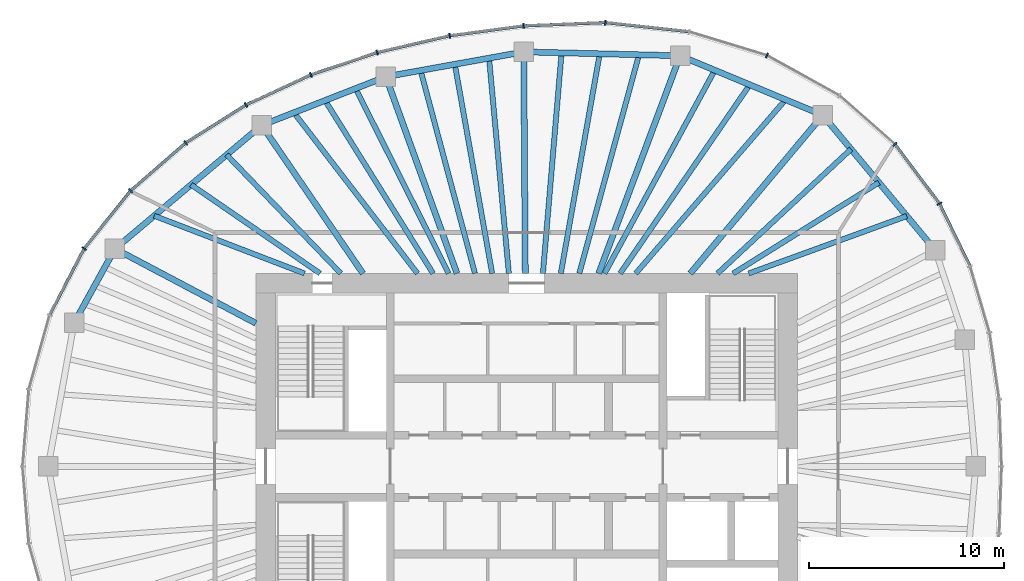
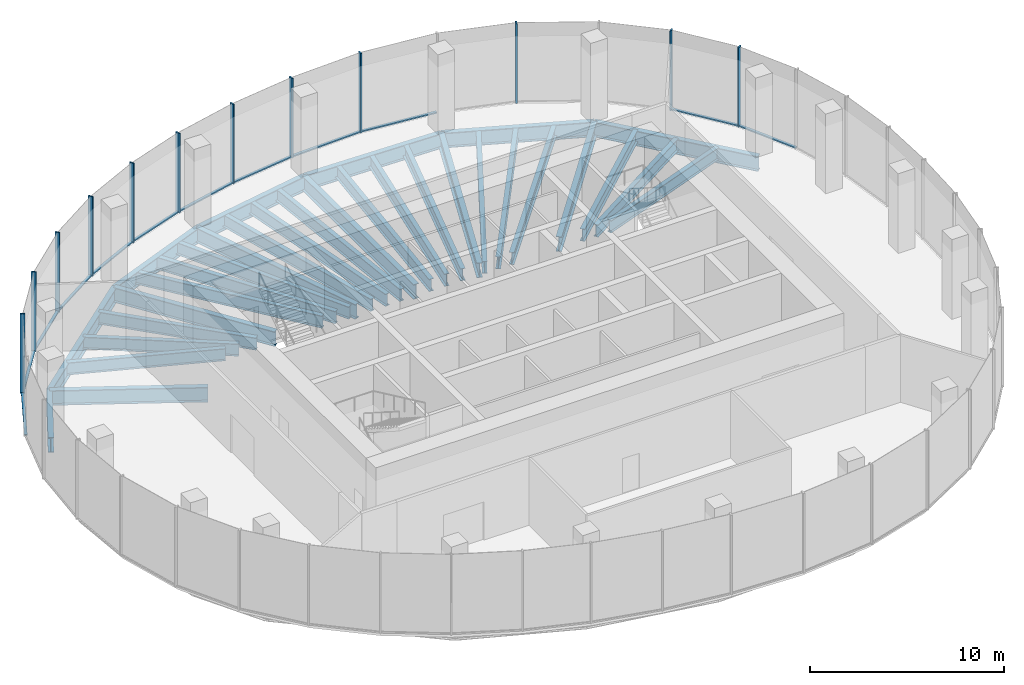
# One storey, part 5 of 11: 31 beams, 24 members, 8 elements without a shape of their own.
"""IFC4 building model written with IfcOpenShell, lengths in metres."""

from ifc_helpers import new_model, si_unit, direction, frame, origin, origin_2d, place, context, subcontext, project, spatial, rectangle, i_section, extrude, material, material_profile, profile_set, type_object, element, aggregate, save


model = new_model("IFC4")

# Units and contexts
model_context = context("Model", 3, precision=1e-05, world=origin(), true_north=direction((0.0, 1.0)))
body_context = subcontext(model_context, "Body", "Model", "MODEL_VIEW")
ifc_project = project(units=[si_unit("LENGTHUNIT", "METRE"), si_unit("AREAUNIT", "SQUARE_METRE"), si_unit("VOLUMEUNIT", "CUBIC_METRE"), si_unit("PLANEANGLEUNIT", "RADIAN"), si_unit("MASSUNIT", "GRAM", prefix="KILO")], contexts=[model_context])

# Site, building, storey
site_placement = place(None, origin())
site = spatial("IfcSite", under=ifc_project, at=site_placement, CompositionType="ELEMENT")
building_placement = place(site_placement, origin())
building = spatial("IfcBuilding", under=site, at=building_placement, Name="Ghaith Harvest Tower", CompositionType="ELEMENT")
storey_placement = place(building_placement, frame((0.0, 0.0, 344.199951171875)))
storey = spatial("IfcBuildingStorey", under=building, at=storey_placement, Name="L77", CompositionType="ELEMENT", Elevation=344.199951171875)

# Curtain wall, members
ifc_material_1 = material(Name="Black anodised aluminium and fritted glass", Category="aluminium")
curtain_wall_type = type_object("IfcCurtainWallType", Name="CW-C CURTAIN WALL", PredefinedType="NOTDEFINED", material=ifc_material_1)
curtain_wall_1_placement = place(storey_placement, origin())
curtain_wall_1 = element("IfcCurtainWall", 1, at=curtain_wall_1_placement, inside=storey, type_object=curtain_wall_type, Name="Curtain wall CW-C bay 03 L77", PredefinedType="NOTDEFINED")
ifc_material_2 = material(Name="Aluminium, black anodised", Category="aluminium")
ifc_material_profile_1 = material_profile(ifc_material_2, rectangle(XDim=0.080078125, YDim=0.260009765625, at=origin_2d()), Name="CW-C MULLION 80x260")
ifc_profile_set_1 = profile_set([ifc_material_profile_1], Name="Aluminium, black anodised")
member_type_1 = type_object("IfcMemberType", Name="CW-C MULLION 80x260", PredefinedType="MULLION", material=ifc_profile_set_1)
member_1_placement = place(storey_placement, frame((21.18896484375, 13.48486328125, 0.0), z_axis=(0.0, 0.0, 1.0), x_axis=(-0.524482238522, 0.851421388899, 0.0)))
member_1 = element("IfcMember", 2, at=member_1_placement, type_object=member_type_1, Name="CW-C mullion 1 bay 03 L77", PredefinedType="MULLION", context=body_context, shape_type="SweptSolid", body=[
    extrude(rectangle(XDim=0.080078125, YDim=0.260009765625, at=origin_2d()), origin(), (0.0, 0.0, 1.0), 5.0),
])
member_2_placement = place(storey_placement, frame((18.901123046875, 16.527099609375, 0.0), z_axis=(0.0, 0.0, 1.0), x_axis=(-0.679660897075, 0.733526458274, 0.0)))
member_2 = element("IfcMember", 3, at=member_2_placement, type_object=member_type_1, Name="CW-C mullion 2 bay 03 L77", PredefinedType="MULLION", context=body_context, shape_type="SweptSolid", body=[
    extrude(rectangle(XDim=0.080078125, YDim=0.260009765625, at=origin_2d()), origin(), (0.0, 0.0, 1.0), 5.0),
])

# Curtain wall, member
curtain_wall_2_placement = place(storey_placement, origin())
curtain_wall_2 = element("IfcCurtainWall", 4, at=curtain_wall_2_placement, inside=storey, type_object=curtain_wall_type, Name="Curtain wall CW-C bay 04 L77", PredefinedType="NOTDEFINED")
member_3_placement = place(storey_placement, frame((12.334228515625, 21.091796875, 0.0), z_axis=(0.0, 0.0, 1.0), x_axis=(-0.920319269246, 0.391168049123, 0.0)))
member_3 = element("IfcMember", 5, at=member_3_placement, type_object=member_type_1, Name="CW-C mullion 2 bay 04 L77", PredefinedType="MULLION", context=body_context, shape_type="SweptSolid", body=[
    extrude(rectangle(XDim=0.080078125, YDim=0.260009765625, at=origin_2d()), origin(), (0.0, 0.0, 1.0), 5.0),
])
aggregate(curtain_wall_2, [member_3])

curtain_wall_3_placement = place(storey_placement, origin())
curtain_wall_3 = element("IfcCurtainWall", 6, at=curtain_wall_3_placement, inside=storey, type_object=curtain_wall_type, Name="Curtain wall CW-C bay 05 L77", PredefinedType="NOTDEFINED")
member_4_placement = place(storey_placement, frame((4.037841796875, 22.776611328125, 0.0), z_axis=(0.0, 0.0, 1.0), x_axis=(-0.999388631236, 0.034962319079, 0.0)))
member_4 = element("IfcMember", 7, at=member_4_placement, type_object=member_type_1, Name="CW-C mullion 2 bay 05 L77", PredefinedType="MULLION", context=body_context, shape_type="SweptSolid", body=[
    extrude(rectangle(XDim=0.080078125, YDim=0.260009765625, at=origin_2d()), origin(), (0.0, 0.0, 1.0), 5.0),
])

# Curtain wall, members
curtain_wall_4_placement = place(storey_placement, origin())
curtain_wall_4 = element("IfcCurtainWall", 8, at=curtain_wall_4_placement, inside=storey, type_object=curtain_wall_type, Name="Curtain wall CW-C bay 06 L77", PredefinedType="NOTDEFINED")
member_5_placement = place(storey_placement, frame((-0.15478515625, 22.60595703125, 0.0), z_axis=(0.0, 0.0, 1.0), x_axis=(-0.996414855482, -0.084601629853, 0.0)))
member_5 = element("IfcMember", 9, at=member_5_placement, type_object=member_type_1, Name="CW-C mullion 1 bay 06 L77", PredefinedType="MULLION", context=body_context, shape_type="SweptSolid", body=[
    extrude(rectangle(XDim=0.080078125, YDim=0.260009765625, at=origin_2d()), origin(), (0.0, 0.0, 1.0), 5.0),
])
member_6_placement = place(storey_placement, frame((-3.946533203125, 22.0986328125, 0.0), z_axis=(0.0, 0.0, 1.0), x_axis=(-0.983843447681, -0.179030920389, 0.0)))
member_6 = element("IfcMember", 10, at=member_6_placement, type_object=member_type_1, Name="CW-C mullion 2 bay 06 L77", PredefinedType="MULLION", context=body_context, shape_type="SweptSolid", body=[
    extrude(rectangle(XDim=0.080078125, YDim=0.260009765625, at=origin_2d()), origin(), (0.0, 0.0, 1.0), 5.0),
])

curtain_wall_5_placement = place(storey_placement, origin())
curtain_wall_5 = element("IfcCurtainWall", 11, at=curtain_wall_5_placement, inside=storey, type_object=curtain_wall_type, Name="Curtain wall CW-C bay 07 L77", PredefinedType="NOTDEFINED")
member_7_placement = place(storey_placement, frame((-7.6708984375, 21.23828125, 0.0), z_axis=(0.0, 0.0, 1.0), x_axis=(-0.962552491436, -0.27109537294, 0.0)))
member_7 = element("IfcMember", 12, at=member_7_placement, type_object=member_type_1, Name="CW-C mullion 1 bay 07 L77", PredefinedType="MULLION", context=body_context, shape_type="SweptSolid", body=[
    extrude(rectangle(XDim=0.080078125, YDim=0.260009765625, at=origin_2d()), origin(), (0.0, 0.0, 1.0), 5.0),
])
member_8_placement = place(storey_placement, frame((-11.0673828125, 20.093017578125, 0.0), z_axis=(0.0, 0.0, 1.0), x_axis=(-0.928624420706, -0.371021138573, 0.0)))
member_8 = element("IfcMember", 13, at=member_8_placement, type_object=member_type_1, Name="CW-C mullion 2 bay 07 L77", PredefinedType="MULLION", context=body_context, shape_type="SweptSolid", body=[
    extrude(rectangle(XDim=0.080078125, YDim=0.260009765625, at=origin_2d()), origin(), (0.0, 0.0, 1.0), 5.0),
])

curtain_wall_6_placement = place(storey_placement, origin())
curtain_wall_6 = element("IfcCurtainWall", 14, at=curtain_wall_6_placement, inside=storey, type_object=curtain_wall_type, Name="Curtain wall CW-C bay 08 L77", PredefinedType="NOTDEFINED")
member_9_placement = place(storey_placement, frame((-14.40478515625, 18.5478515625, 0.0), z_axis=(0.0, 0.0, 1.0), x_axis=(-0.87867173244, -0.477426420101, 0.0)))
member_9 = element("IfcMember", 15, at=member_9_placement, type_object=member_type_1, Name="CW-C mullion 1 bay 08 L77", PredefinedType="MULLION", context=body_context, shape_type="SweptSolid", body=[
    extrude(rectangle(XDim=0.080078125, YDim=0.260009765625, at=origin_2d()), origin(), (0.0, 0.0, 1.0), 5.0),
])
member_10_placement = place(storey_placement, frame((-17.49462890625, 16.600830078125, 0.0), z_axis=(0.0, 0.0, 1.0), x_axis=(-0.802189888678, -0.597068993084, 0.0)))
member_10 = element("IfcMember", 16, at=member_10_placement, type_object=member_type_1, Name="CW-C mullion 2 bay 08 L77", PredefinedType="MULLION", context=body_context, shape_type="SweptSolid", body=[
    extrude(rectangle(XDim=0.080078125, YDim=0.260009765625, at=origin_2d()), origin(), (0.0, 0.0, 1.0), 5.0),
])

curtain_wall_7_placement = place(storey_placement, origin())
curtain_wall_7 = element("IfcCurtainWall", 17, at=curtain_wall_7_placement, inside=storey, type_object=curtain_wall_type, Name="Curtain wall CW-C bay 09 L77", PredefinedType="NOTDEFINED")
member_11_placement = place(storey_placement, frame((-20.324462890625, 14.141845703125, 0.0), z_axis=(0.0, 0.0, 1.0), x_axis=(-0.692826491995, -0.72110432809, 0.0)))
member_11 = element("IfcMember", 18, at=member_11_placement, type_object=member_type_1, Name="CW-C mullion 1 bay 09 L77", PredefinedType="MULLION", context=body_context, shape_type="SweptSolid", body=[
    extrude(rectangle(XDim=0.080078125, YDim=0.260009765625, at=origin_2d()), origin(), (0.0, 0.0, 1.0), 5.0),
])
member_12_placement = place(storey_placement, frame((-22.706298828125, 11.176513671875, 0.0), z_axis=(0.0, 0.0, 1.0), x_axis=(-0.545865412621, -0.837872872997, 0.0)))
member_12 = element("IfcMember", 19, at=member_12_placement, type_object=member_type_1, Name="CW-C mullion 2 bay 09 L77", PredefinedType="MULLION", context=body_context, shape_type="SweptSolid", body=[
    extrude(rectangle(XDim=0.080078125, YDim=0.260009765625, at=origin_2d()), origin(), (0.0, 0.0, 1.0), 5.0),
])

# Curtain wall, member
curtain_wall_8_placement = place(storey_placement, origin())
curtain_wall_8 = element("IfcCurtainWall", 20, at=curtain_wall_8_placement, inside=storey, type_object=curtain_wall_type, Name="Curtain wall CW-C bay 02 L77", PredefinedType="NOTDEFINED")
ifc_material_3 = material(Name="Aluminium, black anodised", Category="aluminium")
ifc_material_profile_2 = material_profile(ifc_material_3, rectangle(XDim=0.159912109375, YDim=0.080078125, at=origin_2d()), Name="CW-C TRANSOM 160x80")
ifc_profile_set_2 = profile_set([ifc_material_profile_2], Name="Aluminium, black anodised")
member_type_2 = type_object("IfcMemberType", Name="CW-C TRANSOM 160x80", PredefinedType="USERDEFINED", material=ifc_profile_set_2)
member_13_placement = place(storey_placement, frame((22.736572265625, 10.308349609375, 0.0400390625), z_axis=(-0.437965078712, 0.898991985408, 0.0), x_axis=(-0.898991985408, -0.437965078712, 0.0)))
member_13 = element("IfcMember", 21, at=member_13_placement, type_object=member_type_2, Name="CW-C transom 2 bay 02 L77", ObjectType="TRANSOM", PredefinedType="USERDEFINED", context=body_context, shape_type="SweptSolid", body=[
    extrude(rectangle(XDim=0.159912109375, YDim=0.080078125, at=origin_2d()), origin(), (0.0, 0.0, 1.0), 3.493408203125),
])
aggregate(curtain_wall_8, [member_13])

# Member
member_14_placement = place(storey_placement, frame((21.1650390625, 13.516845703125, 0.0400390625), z_axis=(-0.601079103045, 0.799189534392, 0.0), x_axis=(-0.799189534392, -0.601079103045, 0.0)))
member_14 = element("IfcMember", 22, at=member_14_placement, type_object=member_type_2, Name="CW-C transom 1 bay 03 L77", ObjectType="TRANSOM", PredefinedType="USERDEFINED", context=body_context, shape_type="SweptSolid", body=[
    extrude(rectangle(XDim=0.159912109375, YDim=0.080078125, at=origin_2d()), origin(), (0.0, 0.0, 1.0), 3.7265625),
])

aggregate(curtain_wall_1, [member_1, member_14, member_2])

member_15_placement = place(storey_placement, frame((8.300048828125, 22.313232421875, 0.0400390625), z_axis=(-0.994144463069, 0.108059180768, 0.0), x_axis=(-0.108059180768, -0.994144463069, 0.0)))
member_15 = element("IfcMember", 23, at=member_15_placement, type_object=member_type_2, Name="CW-C transom 1 bay 05 L77", ObjectType="TRANSOM", PredefinedType="USERDEFINED", context=body_context, shape_type="SweptSolid", body=[
    extrude(rectangle(XDim=0.159912109375, YDim=0.080078125, at=origin_2d()), origin(), (0.0, 0.0, 1.0), 4.24755859375),
])

member_16_placement = place(storey_placement, frame((3.997802734375, 22.77490234375, 0.0400390625), z_axis=(-0.999174207562, -0.040631304968, 0.0), x_axis=(0.040631304968, -0.999174207562, 0.0)))
member_16 = element("IfcMember", 24, at=member_16_placement, type_object=member_type_2, Name="CW-C transom 2 bay 05 L77", ObjectType="TRANSOM", PredefinedType="USERDEFINED", context=body_context, shape_type="SweptSolid", body=[
    extrude(rectangle(XDim=0.159912109375, YDim=0.080078125, at=origin_2d()), origin(), (0.0, 0.0, 1.0), 4.115966796875),
])

aggregate(curtain_wall_3, [member_15, member_4, member_16])

member_17_placement = place(storey_placement, frame((-0.1943359375, 22.6005859375, 0.0400390625), z_axis=(-0.99117202259, -0.132582131655, 0.0), x_axis=(0.132582131655, -0.99117202259, 0.0)))
member_17 = element("IfcMember", 25, at=member_17_placement, type_object=member_type_2, Name="CW-C transom 1 bay 06 L77", ObjectType="TRANSOM", PredefinedType="USERDEFINED", context=body_context, shape_type="SweptSolid", body=[
    extrude(rectangle(XDim=0.159912109375, YDim=0.080078125, at=origin_2d()), origin(), (0.0, 0.0, 1.0), 3.745361328125),
])

member_18_placement = place(storey_placement, frame((-3.9853515625, 22.089599609375, 0.0400390625), z_axis=(-0.974344997799, -0.225059603803, 0.0), x_axis=(0.225059603803, -0.974344997799, 0.0)))
member_18 = element("IfcMember", 26, at=member_18_placement, type_object=member_type_2, Name="CW-C transom 2 bay 06 L77", ObjectType="TRANSOM", PredefinedType="USERDEFINED", context=body_context, shape_type="SweptSolid", body=[
    extrude(rectangle(XDim=0.159912109375, YDim=0.080078125, at=origin_2d()), origin(), (0.0, 0.0, 1.0), 3.742431640625),
])

aggregate(curtain_wall_4, [member_5, member_17, member_6, member_18])

member_19_placement = place(storey_placement, frame((-7.708740234375, 21.2255859375, 0.0400390625), z_axis=(-0.9475698206, -0.319548799228, 0.0), x_axis=(0.319548799228, -0.9475698206, 0.0)))
member_19 = element("IfcMember", 27, at=member_19_placement, type_object=member_type_2, Name="CW-C transom 1 bay 07 L77", ObjectType="TRANSOM", PredefinedType="USERDEFINED", context=body_context, shape_type="SweptSolid", body=[
    extrude(rectangle(XDim=0.159912109375, YDim=0.080078125, at=origin_2d()), origin(), (0.0, 0.0, 1.0), 3.504638671875),
])

member_20_placement = place(storey_placement, frame((-11.103759765625, 20.076171875, 0.0400390625), z_axis=(-0.907472177056, -0.420112184862, 0.0), x_axis=(0.420112184862, -0.907472177056, 0.0)))
member_20 = element("IfcMember", 28, at=member_20_placement, type_object=member_type_2, Name="CW-C transom 2 bay 07 L77", ObjectType="TRANSOM", PredefinedType="USERDEFINED", context=body_context, shape_type="SweptSolid", body=[
    extrude(rectangle(XDim=0.159912109375, YDim=0.080078125, at=origin_2d()), origin(), (0.0, 0.0, 1.0), 3.597900390625),
])

aggregate(curtain_wall_5, [member_7, member_19, member_8, member_20])

member_21_placement = place(storey_placement, frame((-14.438720703125, 18.5263671875, 0.0400390625), z_axis=(-0.846053602505, -0.533097835006, 0.0), x_axis=(0.533097835006, -0.846053602505, 0.0)))
member_21 = element("IfcMember", 29, at=member_21_placement, type_object=member_type_2, Name="CW-C transom 1 bay 08 L77", ObjectType="TRANSOM", PredefinedType="USERDEFINED", context=body_context, shape_type="SweptSolid", body=[
    extrude(rectangle(XDim=0.159912109375, YDim=0.080078125, at=origin_2d()), origin(), (0.0, 0.0, 1.0), 3.572021484375),
])

member_22_placement = place(storey_placement, frame((-17.52490234375, 16.574462890625, 0.0400390625), z_axis=(-0.754851889287, -0.65589528527, 0.0), x_axis=(0.65589528527, -0.754851889287, 0.0)))
member_22 = element("IfcMember", 30, at=member_22_placement, type_object=member_type_2, Name="CW-C transom 2 bay 08 L77", ObjectType="TRANSOM", PredefinedType="USERDEFINED", context=body_context, shape_type="SweptSolid", body=[
    extrude(rectangle(XDim=0.159912109375, YDim=0.080078125, at=origin_2d()), origin(), (0.0, 0.0, 1.0), 3.668701171875),
])

aggregate(curtain_wall_6, [member_9, member_21, member_10, member_22])

member_23_placement = place(storey_placement, frame((-20.349365234375, 14.110595703125, 0.0400390625), z_axis=(-0.626253073761, -0.779619835307, 0.0), x_axis=(0.779619835307, -0.626253073761, 0.0)))
member_23 = element("IfcMember", 31, at=member_23_placement, type_object=member_type_2, Name="CW-C transom 1 bay 09 L77", ObjectType="TRANSOM", PredefinedType="USERDEFINED", context=body_context, shape_type="SweptSolid", body=[
    extrude(rectangle(XDim=0.159912109375, YDim=0.080078125, at=origin_2d()), origin(), (0.0, 0.0, 1.0), 3.723388671875),
])

member_24_placement = place(storey_placement, frame((-22.724609375, 11.14111328125, 0.0400390625), z_axis=(-0.461242681347, -0.887274021317, 0.0), x_axis=(0.887274021317, -0.461242681347, 0.0)))
member_24 = element("IfcMember", 32, at=member_24_placement, type_object=member_type_2, Name="CW-C transom 2 bay 09 L77", ObjectType="TRANSOM", PredefinedType="USERDEFINED", context=body_context, shape_type="SweptSolid", body=[
    extrude(rectangle(XDim=0.159912109375, YDim=0.080078125, at=origin_2d()), origin(), (0.0, 0.0, 1.0), 3.77197265625),
])

aggregate(curtain_wall_7, [member_11, member_23, member_12, member_24])

# Beams
ifc_material_4 = material(Name="Steel ASTM A992 Grade 50", Category="steel")
ifc_material_profile_3 = material_profile(ifc_material_4, i_section(OverallWidth=0.306884765625, OverallDepth=0.94189453125, WebThickness=0.022216796875, FlangeThickness=0.039794921875, at=origin_2d()), Name="W920X345")
ifc_profile_set_3 = profile_set([ifc_material_profile_3], Name="Steel ASTM A992 Grade 50")
beam_type_1 = type_object("IfcBeamType", Name="E920-345 W920X345", PredefinedType="SPANDREL", material=ifc_profile_set_3)
beam_1_placement = place(storey_placement, frame((20.97705078125, 11.087890625, -0.77099609375), z_axis=(-0.640173759088, 0.76823014662, 0.0), x_axis=(-0.76823014662, -0.640173759088, 0.0)))
element("IfcBeam", 33, at=beam_1_placement, inside=storey, type_object=beam_type_1, Name="Edge beam E03 L77", PredefinedType="SPANDREL", context=body_context, shape_type="SweptSolid", body=[
    extrude(i_section(OverallWidth=0.306884765625, OverallDepth=0.94189453125, WebThickness=0.022216796875, FlangeThickness=0.039794921875, at=origin_2d()), origin(), (0.0, 0.0, 1.0), 9.02734375),
])
beam_2_placement = place(storey_placement, frame((15.197998046875, 18.02294921875, -0.77099609375), z_axis=(-0.923119729219, 0.384512633766, 0.0), x_axis=(-0.384512633766, -0.923119729219, 0.0)))
element("IfcBeam", 34, at=beam_2_placement, inside=storey, type_object=beam_type_1, Name="Edge beam E04 L77", PredefinedType="SPANDREL", context=body_context, shape_type="SweptSolid", body=[
    extrude(i_section(OverallWidth=0.306884765625, OverallDepth=0.94189453125, WebThickness=0.022216796875, FlangeThickness=0.039794921875, at=origin_2d()), origin(), (0.0, 0.0, 1.0), 7.9296875),
])
beam_3_placement = place(storey_placement, frame((7.8779296875, 21.072021484375, -0.77099609375), z_axis=(-0.999692679676, 0.024790042413, 0.0), x_axis=(-0.024790042413, -0.999692679676, 0.0)))
element("IfcBeam", 35, at=beam_3_placement, inside=storey, type_object=beam_type_1, Name="Edge beam E05 L77", PredefinedType="SPANDREL", context=body_context, shape_type="SweptSolid", body=[
    extrude(i_section(OverallWidth=0.306884765625, OverallDepth=0.94189453125, WebThickness=0.022216796875, FlangeThickness=0.039794921875, at=origin_2d()), origin(), (0.0, 0.0, 1.0), 8.0263671875),
])
beam_4_placement = place(storey_placement, frame((-0.14599609375, 21.27099609375, -0.77099609375), z_axis=(-0.984177047684, -0.177187863051, 0.0), x_axis=(0.177187863051, -0.984177047684, 0.0)))
element("IfcBeam", 36, at=beam_4_placement, inside=storey, type_object=beam_type_1, Name="Edge beam E06 L77", PredefinedType="SPANDREL", context=body_context, shape_type="SweptSolid", body=[
    extrude(i_section(OverallWidth=0.306884765625, OverallDepth=0.94189453125, WebThickness=0.022216796875, FlangeThickness=0.039794921875, at=origin_2d()), origin(), (0.0, 0.0, 1.0), 7.189697265625),
])
beam_5_placement = place(storey_placement, frame((-7.221923828125, 19.9970703125, -0.77099609375), z_axis=(-0.931322768207, -0.364194867371, 0.0), x_axis=(0.364194867371, -0.931322768207, 0.0)))
element("IfcBeam", 37, at=beam_5_placement, inside=storey, type_object=beam_type_1, Name="Edge beam E07 L77", PredefinedType="SPANDREL", context=body_context, shape_type="SweptSolid", body=[
    extrude(i_section(OverallWidth=0.306884765625, OverallDepth=0.94189453125, WebThickness=0.022216796875, FlangeThickness=0.039794921875, at=origin_2d()), origin(), (0.0, 0.0, 1.0), 6.843017578125),
])
beam_6_placement = place(storey_placement, frame((-13.594970703125, 17.5048828125, -0.77099609375), z_axis=(-0.765021818761, -0.64400436087, 0.0), x_axis=(0.64400436087, -0.765021818761, 0.0)))
element("IfcBeam", 38, at=beam_6_placement, inside=storey, type_object=beam_type_1, Name="Edge beam E08 L77", PredefinedType="SPANDREL", context=body_context, shape_type="SweptSolid", body=[
    extrude(i_section(OverallWidth=0.306884765625, OverallDepth=0.94189453125, WebThickness=0.022216796875, FlangeThickness=0.039794921875, at=origin_2d()), origin(), (0.0, 0.0, 1.0), 9.8427734375),
])
beam_7_placement = place(storey_placement, frame((-21.125, 11.166015625, -0.77099609375), z_axis=(-0.482955575345, -0.875644855089, 0.0), x_axis=(0.875644855089, -0.482955575345, 0.0)))
element("IfcBeam", 39, at=beam_7_placement, inside=storey, type_object=beam_type_1, Name="Edge beam E09 L77", PredefinedType="SPANDREL", context=body_context, shape_type="SweptSolid", body=[
    extrude(i_section(OverallWidth=0.306884765625, OverallDepth=0.94189453125, WebThickness=0.022216796875, FlangeThickness=0.039794921875, at=origin_2d()), origin(), (0.0, 0.0, 1.0), 4.346435546875),
])
ifc_material_5 = material(Name="Steel ASTM A992 Grade 50", Category="steel")
ifc_material_profile_4 = material_profile(ifc_material_5, i_section(OverallWidth=0.31005859375, OverallDepth=0.927001953125, WebThickness=0.019287109375, FlangeThickness=0.031982421875, at=origin_2d()), Name="W920X289")
ifc_profile_set_4 = profile_set([ifc_material_profile_4], Name="Steel ASTM A992 Grade 50")
beam_type_2 = type_object("IfcBeamType", Name="G920-289 W920X289", PredefinedType="BEAM", material=ifc_profile_set_4)
beam_8_placement = place(storey_placement, frame((8.39990234375, 9.89990234375, -0.763427734375), z_axis=(0.641792628883, 0.766878231215, 0.0), x_axis=(-0.766878231215, 0.641792628883, 0.0)))
element("IfcBeam", 40, at=beam_8_placement, inside=storey, type_object=beam_type_2, Name="Radial girder G04 L77", PredefinedType="BEAM", context=body_context, shape_type="SweptSolid", body=[
    extrude(i_section(OverallWidth=0.31005859375, OverallDepth=0.927001953125, WebThickness=0.019287109375, FlangeThickness=0.031982421875, at=origin_2d()), origin(), (0.0, 0.0, 1.0), 10.59228515625),
])
beam_9_placement = place(storey_placement, frame((3.700927734375, 9.89990234375, -0.763427734375), z_axis=(0.350201332531, 0.936674450753, 0.0), x_axis=(-0.936674450753, 0.350201332531, 0.0)))
element("IfcBeam", 41, at=beam_9_placement, inside=storey, type_object=beam_type_2, Name="Radial girder G05 L77", PredefinedType="BEAM", context=body_context, shape_type="SweptSolid", body=[
    extrude(i_section(OverallWidth=0.31005859375, OverallDepth=0.927001953125, WebThickness=0.019287109375, FlangeThickness=0.031982421875, at=origin_2d()), origin(), (0.0, 0.0, 1.0), 11.927490234375),
])
beam_10_placement = place(storey_placement, frame((-0.06787109375, 9.89990234375, -0.763427734375), z_axis=(-0.00687032909, 0.999976399011, 0.0), x_axis=(-0.999976399011, -0.00687032909, 0.0)))
element("IfcBeam", 42, at=beam_10_placement, inside=storey, type_object=beam_type_2, Name="Radial girder G06 L77", PredefinedType="BEAM", context=body_context, shape_type="SweptSolid", body=[
    extrude(i_section(OverallWidth=0.31005859375, OverallDepth=0.927001953125, WebThickness=0.019287109375, FlangeThickness=0.031982421875, at=origin_2d()), origin(), (0.0, 0.0, 1.0), 11.371337890625),
])
beam_11_placement = place(storey_placement, frame((-3.57568359375, 9.89990234375, -0.763427734375), z_axis=(-0.339647816823, 0.940552688863, 0.0), x_axis=(-0.940552688863, -0.339647816823, 0.0)))
element("IfcBeam", 43, at=beam_11_placement, inside=storey, type_object=beam_type_2, Name="Radial girder G07 L77", PredefinedType="BEAM", context=body_context, shape_type="SweptSolid", body=[
    extrude(i_section(OverallWidth=0.31005859375, OverallDepth=0.927001953125, WebThickness=0.019287109375, FlangeThickness=0.031982421875, at=origin_2d()), origin(), (0.0, 0.0, 1.0), 10.7353515625),
])
beam_12_placement = place(storey_placement, frame((-8.39990234375, 9.89990234375, -0.763427734375), z_axis=(-0.564067018201, 0.825729010619, 0.0), x_axis=(-0.825729010619, -0.564067018201, 0.0)))
element("IfcBeam", 44, at=beam_12_placement, inside=storey, type_object=beam_type_2, Name="Radial girder G08 L77", PredefinedType="BEAM", context=body_context, shape_type="SweptSolid", body=[
    extrude(i_section(OverallWidth=0.31005859375, OverallDepth=0.927001953125, WebThickness=0.019287109375, FlangeThickness=0.031982421875, at=origin_2d()), origin(), (0.0, 0.0, 1.0), 9.2099609375),
])
beam_13_placement = place(storey_placement, frame((-13.89990234375, 7.34716796875, -0.763427734375), z_axis=(-0.88410164037, 0.467294649546, 0.0), x_axis=(-0.467294649546, -0.88410164037, 0.0)))
element("IfcBeam", 45, at=beam_13_placement, inside=storey, type_object=beam_type_2, Name="Radial girder G09 L77", PredefinedType="BEAM", context=body_context, shape_type="SweptSolid", body=[
    extrude(i_section(OverallWidth=0.31005859375, OverallDepth=0.927001953125, WebThickness=0.019287109375, FlangeThickness=0.031982421875, at=origin_2d()), origin(), (0.0, 0.0, 1.0), 8.17236328125),
])
ifc_material_6 = material(Name="Steel ASTM A992 Grade 50", Category="steel")
ifc_material_profile_5 = material_profile(ifc_material_6, i_section(OverallWidth=0.26806640625, OverallDepth=0.77001953125, WebThickness=0.015625, FlangeThickness=0.025390625, at=origin_2d()), Name="W760X196")
ifc_profile_set_5 = profile_set([ifc_material_profile_5], Name="Steel ASTM A992 Grade 50")
beam_type_3 = type_object("IfcBeamType", Name="J760-196 W760X196", PredefinedType="JOIST", material=ifc_profile_set_5)
beam_14_placement = place(storey_placement, frame((11.39990234375, 9.89990234375, -0.68505859375), z_axis=(0.939925501564, 0.341379629605, 0.0), x_axis=(-0.341379629605, 0.939925501564, 0.0)))
element("IfcBeam", 46, at=beam_14_placement, inside=storey, type_object=beam_type_3, Name="Joist J03.1 L77", PredefinedType="JOIST", context=body_context, shape_type="SweptSolid", body=[
    extrude(i_section(OverallWidth=0.26806640625, OverallDepth=0.77001953125, WebThickness=0.015625, FlangeThickness=0.025390625, at=origin_2d()), origin(), (0.0, 0.0, 1.0), 8.630615234375),
])
beam_15_placement = place(storey_placement, frame((10.60009765625, 9.89990234375, -0.68505859375), z_axis=(0.84837619421, 0.52939383553, 0.0), x_axis=(-0.52939383553, 0.84837619421, 0.0)))
element("IfcBeam", 47, at=beam_15_placement, inside=storey, type_object=beam_type_3, Name="Joist J03.2 L77", PredefinedType="JOIST", context=body_context, shape_type="SweptSolid", body=[
    extrude(i_section(OverallWidth=0.26806640625, OverallDepth=0.77001953125, WebThickness=0.015625, FlangeThickness=0.025390625, at=origin_2d()), origin(), (0.0, 0.0, 1.0), 8.814697265625),
])
beam_16_placement = place(storey_placement, frame((9.800048828125, 9.89990234375, -0.68505859375), z_axis=(0.73164904944, 0.681681500742, 0.0), x_axis=(-0.681681500742, 0.73164904944, 0.0)))
element("IfcBeam", 48, at=beam_16_placement, inside=storey, type_object=beam_type_3, Name="Joist J03.3 L77", PredefinedType="JOIST", context=body_context, shape_type="SweptSolid", body=[
    extrude(i_section(OverallWidth=0.26806640625, OverallDepth=0.77001953125, WebThickness=0.015625, FlangeThickness=0.025390625, at=origin_2d()), origin(), (0.0, 0.0, 1.0), 9.361572265625),
])
beam_17_placement = place(storey_placement, frame((5.60009765625, 9.89990234375, -0.68505859375), z_axis=(0.652992938501, 0.757363995888, 0.0), x_axis=(-0.757363995888, 0.652992938501, 0.0)))
element("IfcBeam", 49, at=beam_17_placement, inside=storey, type_object=beam_type_3, Name="Joist J04.1 L77", PredefinedType="JOIST", context=body_context, shape_type="SweptSolid", body=[
    extrude(i_section(OverallWidth=0.26806640625, OverallDepth=0.77001953125, WebThickness=0.015625, FlangeThickness=0.025390625, at=origin_2d()), origin(), (0.0, 0.0, 1.0), 11.775390625),
])
beam_18_placement = place(storey_placement, frame((4.800048828125, 9.89990234375, -0.68505859375), z_axis=(0.566228035119, 0.824248634967, 0.0), x_axis=(-0.824248634967, 0.566228035119, 0.0)))
element("IfcBeam", 50, at=beam_18_placement, inside=storey, type_object=beam_type_3, Name="Joist J04.2 L77", PredefinedType="JOIST", context=body_context, shape_type="SweptSolid", body=[
    extrude(i_section(OverallWidth=0.26806640625, OverallDepth=0.77001953125, WebThickness=0.015625, FlangeThickness=0.025390625, at=origin_2d()), origin(), (0.0, 0.0, 1.0), 11.748046875),
])
beam_19_placement = place(storey_placement, frame((4.0, 9.89990234375, -0.68505859375), z_axis=(0.476764926531, 0.879030832696, 0.0), x_axis=(-0.879030832696, 0.476764926531, 0.0)))
element("IfcBeam", 51, at=beam_19_placement, inside=storey, type_object=beam_type_3, Name="Joist J04.3 L77", PredefinedType="JOIST", context=body_context, shape_type="SweptSolid", body=[
    extrude(i_section(OverallWidth=0.26806640625, OverallDepth=0.77001953125, WebThickness=0.015625, FlangeThickness=0.025390625, at=origin_2d()), origin(), (0.0, 0.0, 1.0), 11.866455078125),
])
beam_20_placement = place(storey_placement, frame((2.70361328125, 9.89990234375, -0.68505859375), z_axis=(0.263456499314, 0.964671277156, 0.0), x_axis=(-0.964671277156, 0.263456499314, 0.0)))
element("IfcBeam", 52, at=beam_20_placement, inside=storey, type_object=beam_type_3, Name="Joist J05.1 L77", PredefinedType="JOIST", context=body_context, shape_type="SweptSolid", body=[
    extrude(i_section(OverallWidth=0.26806640625, OverallDepth=0.77001953125, WebThickness=0.015625, FlangeThickness=0.025390625, at=origin_2d()), origin(), (0.0, 0.0, 1.0), 11.635498046875),
])
beam_21_placement = place(storey_placement, frame((1.7548828125, 9.89990234375, -0.68505859375), z_axis=(0.174562528022, 0.984646090639, 0.0), x_axis=(-0.984646090639, 0.174562528022, 0.0)))
element("IfcBeam", 53, at=beam_21_placement, inside=storey, type_object=beam_type_3, Name="Joist J05.2 L77", PredefinedType="JOIST", context=body_context, shape_type="SweptSolid", body=[
    extrude(i_section(OverallWidth=0.26806640625, OverallDepth=0.77001953125, WebThickness=0.015625, FlangeThickness=0.025390625, at=origin_2d()), origin(), (0.0, 0.0, 1.0), 11.4501953125),
])
beam_22_placement = place(storey_placement, frame((0.836669921875, 9.89990234375, -0.68505859375), z_axis=(0.084199386432, 0.996448926601, 0.0), x_axis=(-0.996448926601, 0.084199386432, 0.0)))
element("IfcBeam", 54, at=beam_22_placement, inside=storey, type_object=beam_type_3, Name="Joist J05.3 L77", PredefinedType="JOIST", context=body_context, shape_type="SweptSolid", body=[
    extrude(i_section(OverallWidth=0.26806640625, OverallDepth=0.77001953125, WebThickness=0.015625, FlangeThickness=0.025390625, at=origin_2d()), origin(), (0.0, 0.0, 1.0), 11.36328125),
])
beam_23_placement = place(storey_placement, frame((-0.9111328125, 9.89990234375, -0.68505859375), z_axis=(-0.091654473201, 0.995790870385, 0.0), x_axis=(-0.995790870385, -0.091654473201, 0.0)))
element("IfcBeam", 55, at=beam_23_placement, inside=storey, type_object=beam_type_3, Name="Joist J06.1 L77", PredefinedType="JOIST", context=body_context, shape_type="SweptSolid", body=[
    extrude(i_section(OverallWidth=0.26806640625, OverallDepth=0.77001953125, WebThickness=0.015625, FlangeThickness=0.025390625, at=origin_2d()), origin(), (0.0, 0.0, 1.0), 11.096923828125),
])
beam_24_placement = place(storey_placement, frame((-1.76806640625, 9.89990234375, -0.68505859375), z_axis=(-0.175789088574, 0.984427852277, 0.0), x_axis=(-0.984427852277, -0.175789088574, 0.0)))
element("IfcBeam", 56, at=beam_24_placement, inside=storey, type_object=beam_type_3, Name="Joist J06.2 L77", PredefinedType="JOIST", context=body_context, shape_type="SweptSolid", body=[
    extrude(i_section(OverallWidth=0.26806640625, OverallDepth=0.77001953125, WebThickness=0.015625, FlangeThickness=0.025390625, at=origin_2d()), origin(), (0.0, 0.0, 1.0), 10.903564453125),
])
beam_25_placement = place(storey_placement, frame((-2.651123046875, 9.89990234375, -0.68505859375), z_axis=(-0.258678376387, 0.96596350738, 0.0), x_axis=(-0.96596350738, -0.258678376387, 0.0)))
element("IfcBeam", 57, at=beam_25_placement, inside=storey, type_object=beam_type_3, Name="Joist J06.3 L77", PredefinedType="JOIST", context=body_context, shape_type="SweptSolid", body=[
    extrude(i_section(OverallWidth=0.26806640625, OverallDepth=0.77001953125, WebThickness=0.015625, FlangeThickness=0.025390625, at=origin_2d()), origin(), (0.0, 0.0, 1.0), 10.784912109375),
])
beam_26_placement = place(storey_placement, frame((-4.0, 9.89990234375, -0.68505859375), z_axis=(-0.449556131123, 0.893252083664, 0.0), x_axis=(-0.893252083664, -0.449556131123, 0.0)))
element("IfcBeam", 58, at=beam_26_placement, inside=storey, type_object=beam_type_3, Name="Joist J07.1 L77", PredefinedType="JOIST", context=body_context, shape_type="SweptSolid", body=[
    extrude(i_section(OverallWidth=0.26806640625, OverallDepth=0.77001953125, WebThickness=0.015625, FlangeThickness=0.025390625, at=origin_2d()), origin(), (0.0, 0.0, 1.0), 10.62353515625),
])
beam_27_placement = place(storey_placement, frame((-4.800048828125, 9.89990234375, -0.68505859375), z_axis=(-0.529596254905, 0.848249849273, 0.0), x_axis=(-0.848249849273, -0.529596254905, 0.0)))
element("IfcBeam", 59, at=beam_27_placement, inside=storey, type_object=beam_type_3, Name="Joist J07.2 L77", PredefinedType="JOIST", context=body_context, shape_type="SweptSolid", body=[
    extrude(i_section(OverallWidth=0.26806640625, OverallDepth=0.77001953125, WebThickness=0.015625, FlangeThickness=0.025390625, at=origin_2d()), origin(), (0.0, 0.0, 1.0), 10.465087890625),
])
beam_28_placement = place(storey_placement, frame((-5.60009765625, 9.89990234375, -0.68505859375), z_axis=(-0.609353577926, 0.792898617144, 0.0), x_axis=(-0.792898617144, -0.609353577926, 0.0)))
element("IfcBeam", 60, at=beam_28_placement, inside=storey, type_object=beam_type_3, Name="Joist J07.3 L77", PredefinedType="JOIST", context=body_context, shape_type="SweptSolid", body=[
    extrude(i_section(OverallWidth=0.26806640625, OverallDepth=0.77001953125, WebThickness=0.015625, FlangeThickness=0.025390625, at=origin_2d()), origin(), (0.0, 0.0, 1.0), 10.406982421875),
])
beam_29_placement = place(storey_placement, frame((-9.530517578125, 9.89990234375, -0.68505859375), z_axis=(-0.693536238632, 0.720421741554, 0.0), x_axis=(-0.720421741554, -0.693536238632, 0.0)))
element("IfcBeam", 61, at=beam_29_placement, inside=storey, type_object=beam_type_3, Name="Joist J08.1 L77", PredefinedType="JOIST", context=body_context, shape_type="SweptSolid", body=[
    extrude(i_section(OverallWidth=0.26806640625, OverallDepth=0.77001953125, WebThickness=0.015625, FlangeThickness=0.025390625, at=origin_2d()), origin(), (0.0, 0.0, 1.0), 8.4541015625),
])
beam_30_placement = place(storey_placement, frame((-10.60009765625, 9.89990234375, -0.68505859375), z_axis=(-0.823778502511, 0.566911791023, 0.0), x_axis=(-0.566911791023, -0.823778502511, 0.0)))
element("IfcBeam", 62, at=beam_30_placement, inside=storey, type_object=beam_type_3, Name="Joist J08.2 L77", PredefinedType="JOIST", context=body_context, shape_type="SweptSolid", body=[
    extrude(i_section(OverallWidth=0.26806640625, OverallDepth=0.77001953125, WebThickness=0.015625, FlangeThickness=0.025390625, at=origin_2d()), origin(), (0.0, 0.0, 1.0), 8.0341796875),
])
beam_31_placement = place(storey_placement, frame((-11.39990234375, 9.89990234375, -0.68505859375), z_axis=(-0.933583045329, 0.358361127181, 0.0), x_axis=(-0.358361127181, -0.933583045329, 0.0)))
element("IfcBeam", 63, at=beam_31_placement, inside=storey, type_object=beam_type_3, Name="Joist J08.3 L77", PredefinedType="JOIST", context=body_context, shape_type="SweptSolid", body=[
    extrude(i_section(OverallWidth=0.26806640625, OverallDepth=0.77001953125, WebThickness=0.015625, FlangeThickness=0.025390625, at=origin_2d()), origin(), (0.0, 0.0, 1.0), 8.260986328125),
])

save(model, "model.ifc")
